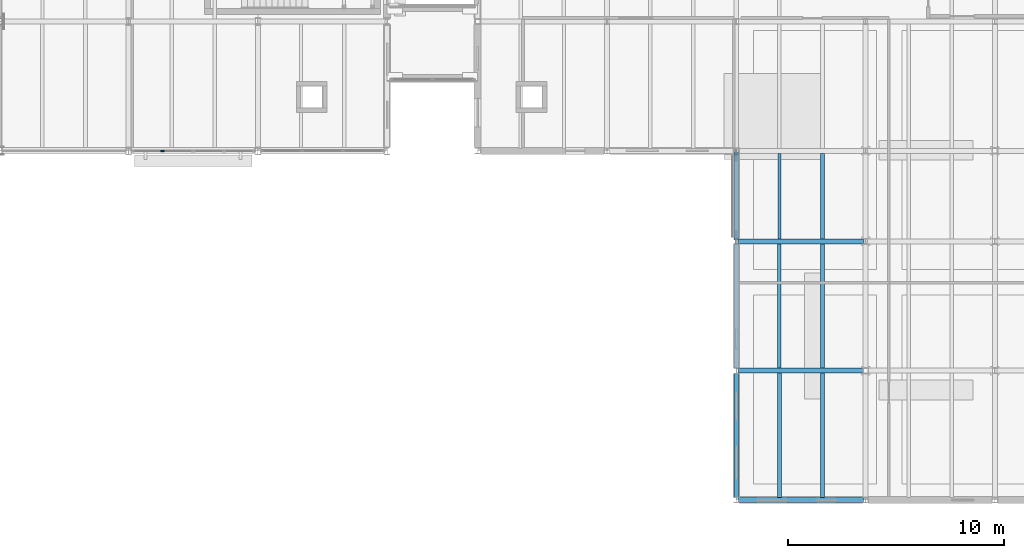
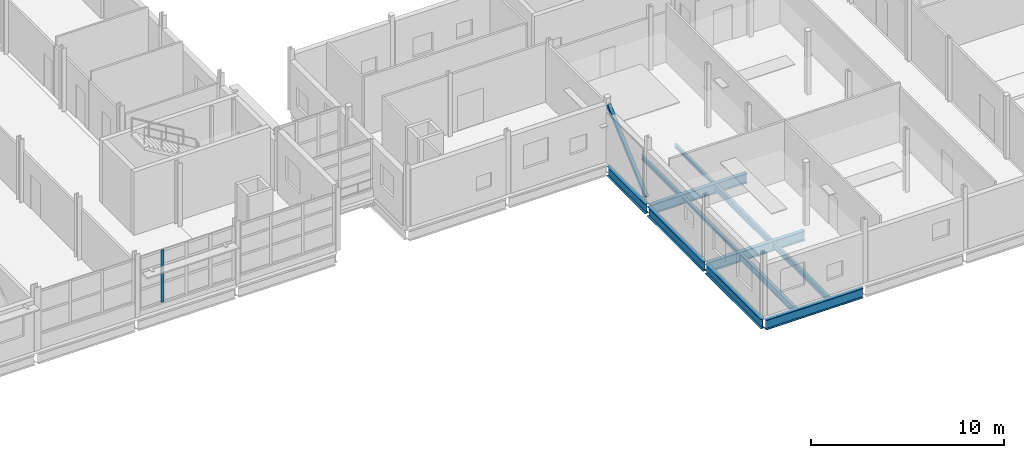
# One storey, part 22 of 92: 12 beams, 2 members, 1 element without a shape of its own.
"""IFC4 building model written with IfcOpenShell, lengths in metres."""

import ifcopenshell
import ifcopenshell.guid

model = None  # the IFC model being written
_history = None  # IfcOwnerHistory: only IFC2X3 demands one
_inside = {}  # id of a spatial element -> (the spatial element, [elements in it])
_under = {}  # id of a project, library or spatial element -> (it, [spatial elements below it])
_declared = {}  # id of a project -> (the project, [libraries it declares])
_typed = {}  # id of a type object -> (the type object, [elements of that type])
_made_of = {}  # id of a material, layer set ... -> (it, [elements and type objects made of it])


def new_model(schema):
    """Start an empty IFC model of exactly this schema.

    Asked for "IFC4X3", IfcOpenShell would pick the latest addendum, in which some entities
    have other attributes; the version numbers below select the first issue.
    IFC2X3 requires an IfcOwnerHistory on every rooted entity: one is made here for all.
    """
    global model, _history
    if schema == "IFC4X3":
        model = ifcopenshell.file(schema_version=(4, 3, 0, 0))
    else:
        model = ifcopenshell.file(schema=schema)
    _inside.clear()
    _under.clear()
    _declared.clear()
    _typed.clear()
    _made_of.clear()
    _history = None
    if model.schema == "IFC2X3":
        org = make("IfcOrganization", Name="unknown")
        user = make(
            "IfcPersonAndOrganization",
            ThePerson=make("IfcPerson", FamilyName="unknown"),
            TheOrganization=org,
        )
        app = make(
            "IfcApplication",
            ApplicationDeveloper=org,
            Version="unknown",
            ApplicationFullName="unknown",
            ApplicationIdentifier="unknown",
        )
        _history = make(
            "IfcOwnerHistory",
            OwningUser=user,
            OwningApplication=app,
            ChangeAction="ADDED",
            CreationDate=0,
        )
    return model


def make(cls, **values):
    """One entity of the class cls with the attributes given. An attribute that is None is left unset."""
    return model.create_entity(
        cls, **{name: value for name, value in values.items() if value is not None}
    )


def rooted(cls, **values):
    """An entity with a GlobalId (a new one), such as an element, a storey or a relation."""
    return make(cls, GlobalId=ifcopenshell.guid.new(), OwnerHistory=_history, **values)


def si_unit(unit_type, name, prefix=None):
    """IfcSIUnit, for example si_unit("LENGTHUNIT", "METRE", prefix="MILLI")."""
    return make("IfcSIUnit", UnitType=unit_type, Prefix=prefix, Name=name)


def assignment(units):
    """IfcUnitAssignment: the units of a project."""
    return None if units is None else make("IfcUnitAssignment", Units=units)


def point(xyz):
    """IfcCartesianPoint."""
    return None if xyz is None else make("IfcCartesianPoint", Coordinates=xyz)


def direction(xyz):
    """IfcDirection."""
    return None if xyz is None else make("IfcDirection", DirectionRatios=xyz)


def frame(location, z_axis=None, x_axis=None):
    """IfcAxis2Placement3D, a coordinate frame: its origin and axes. An axis left out is left unset."""
    return make(
        "IfcAxis2Placement3D",
        Location=point(location),
        Axis=direction(z_axis),
        RefDirection=direction(x_axis),
    )


def frame_2d(location, x_axis=None):
    """IfcAxis2Placement2D, a coordinate frame in the plane: its origin and x axis."""
    return make(
        "IfcAxis2Placement2D", Location=point(location), RefDirection=direction(x_axis)
    )


def origin():
    """The frame at (0, 0, 0) with its axes left unset."""
    return frame((0.0, 0.0, 0.0))


def origin_2d():
    """The frame at (0, 0) in the plane with its x axis left unset."""
    return frame_2d((0.0, 0.0))


def place(relative_to, where):
    """IfcLocalPlacement: puts the frame where relative to a parent placement (None: the world)."""
    return make(
        "IfcLocalPlacement", PlacementRelTo=relative_to, RelativePlacement=where
    )


def context(
    kind, dimensions, precision=None, world=None, true_north=None, identifier=None
):
    """IfcGeometricRepresentationContext, for example the 3D "Model" context."""
    return make(
        "IfcGeometricRepresentationContext",
        ContextIdentifier=identifier,
        ContextType=kind,
        CoordinateSpaceDimension=dimensions,
        Precision=precision,
        WorldCoordinateSystem=world,
        TrueNorth=true_north,
    )


def subcontext(parent, identifier, kind, view, scale=None):
    """IfcGeometricRepresentationSubContext, for example "Body" below "Model"."""
    return make(
        "IfcGeometricRepresentationSubContext",
        ContextIdentifier=identifier,
        ContextType=kind,
        ParentContext=parent,
        TargetScale=scale,
        TargetView=view,
    )


def project(units=None, contexts=None):
    """IfcProject with its units and contexts."""
    return rooted(
        "IfcProject",
        Name="project",
        RepresentationContexts=contexts,
        UnitsInContext=assignment(units),
    )


def spatial(cls, under=None, at=None, **own):
    """A site, building, storey or space (cls), placed at a placement, below another one or the project."""
    s = rooted(cls, ObjectPlacement=at, **own)
    if under is not None:
        _under.setdefault(under.id(), (under, []))[1].append(s)
    return s


def profile(cls, at=None, kind="AREA", **sizes):
    """A parametric profile (cls). Its sizes go by their IFC names, for example OverallWidth=200.0."""
    return make(cls, ProfileType=kind, Position=at, **sizes)


def rectangle(**sizes):
    """IfcRectangleProfileDef."""
    return profile("IfcRectangleProfileDef", **sizes)


def hollow_rectangle(**sizes):
    """IfcRectangleHollowProfileDef."""
    return profile("IfcRectangleHollowProfileDef", **sizes)


def i_section(**sizes):
    """IfcIShapeProfileDef."""
    return profile("IfcIShapeProfileDef", **sizes)


def extrude(swept, where, along, depth):
    """IfcExtrudedAreaSolid: the profile swept, set in the frame where, extruded along a direction by depth."""
    return make(
        "IfcExtrudedAreaSolid",
        SweptArea=swept,
        Position=where,
        ExtrudedDirection=direction(along),
        Depth=depth,
    )


def shape(context_of_items, identifier, shape_type, items):
    """IfcShapeRepresentation: the items that make up one representation, for example the "Body"."""
    return make(
        "IfcShapeRepresentation",
        ContextOfItems=context_of_items,
        RepresentationIdentifier=identifier,
        RepresentationType=shape_type,
        Items=items,
    )


def material(Name=None, Category=None):
    """IfcMaterial."""
    return make("IfcMaterial", Name=Name, Category=Category)


def material_profile(
    of_material, cross_section, Name=None, Category=None, Priority=None
):
    """IfcMaterialProfile: a cross section and its material."""
    return make(
        "IfcMaterialProfile",
        Name=Name,
        Material=of_material,
        Profile=cross_section,
        Priority=Priority,
        Category=Category,
    )


def profile_set(profiles, Name=None, composite=None):
    """IfcMaterialProfileSet."""
    return make(
        "IfcMaterialProfileSet",
        Name=Name,
        MaterialProfiles=profiles,
        CompositeProfile=composite,
    )


def made_of(thing, what):
    """Note that an element or type object is made of a material, layer set ...; save() writes the relation."""
    if what is not None:
        _made_of.setdefault(what.id(), (what, []))[1].append(thing)
    return thing


def type_object(cls, material=None, **own):
    """A type object (cls), such as IfcWallType, which elements share."""
    return made_of(rooted(cls, **own), material)


def element(
    cls,
    number,
    at=None,
    inside=None,
    cuts=None,
    type_object=None,
    material=None,
    context=None,
    identifier="Body",
    shape_type=None,
    held_by="IfcProductDefinitionShape",
    body=None,
    shapes=None,
    **own,
):
    """One element of the class cls, such as IfcWall. Its Tag is "e" and its number.

    at: its placement. inside: the storey or other place that contains it. cuts: it is an
    opening in that element (IfcRelVoidsElement). A single representation is given by context,
    identifier, shape_type and body (its items); several are given by shapes. held_by: the class
    of the entity that holds the representations. save() writes the other relations.
    """
    e = rooted(cls, Tag="e%d" % number, ObjectPlacement=at, **own)
    if body is not None:
        shapes = [shape(context, identifier, shape_type, body)]
    if shapes is not None:
        e.Representation = make(held_by, Representations=shapes)
    if inside is not None:
        _inside.setdefault(inside.id(), (inside, []))[1].append(e)
    if cuts is not None:
        rooted(
            "IfcRelVoidsElement", RelatingBuildingElement=cuts, RelatedOpeningElement=e
        )
    if type_object is not None:
        _typed.setdefault(type_object.id(), (type_object, []))[1].append(e)
    return made_of(e, material)


def aggregate(whole, parts):
    """IfcRelAggregates: a whole, such as a stair, and the parts it consists of."""
    return rooted("IfcRelAggregates", RelatingObject=whole, RelatedObjects=parts)


def save(model, path):
    """Write the relations noted so far, then the file.

    IfcRelAggregates (storeys below a building ...), IfcRelContainedInSpatialStructure (elements
    in a storey), IfcRelDefinesByType, IfcRelAssociatesMaterial and IfcRelDeclares: one each for
    every whole, place, type object, material and project.
    """
    for whole, parts in _under.values():
        aggregate(whole, parts)
    for where, things in _inside.values():
        rooted(
            "IfcRelContainedInSpatialStructure",
            RelatedElements=things,
            RelatingStructure=where,
        )
    for kind, things in _typed.values():
        rooted("IfcRelDefinesByType", RelatedObjects=things, RelatingType=kind)
    for what, things in _made_of.values():
        rooted("IfcRelAssociatesMaterial", RelatedObjects=things, RelatingMaterial=what)
    for by, libraries in _declared.values():
        rooted("IfcRelDeclares", RelatingContext=by, RelatedDefinitions=libraries)
    model.write(path)


model = new_model("IFC4")

# Units and contexts
model_context = context("Model", 3, precision=1e-05, world=origin(), true_north=direction((0.0, 1.0)))
body_context = subcontext(model_context, "Body", "Model", "MODEL_VIEW")
ifc_project = project(units=[si_unit("LENGTHUNIT", "METRE"), si_unit("AREAUNIT", "SQUARE_METRE"), si_unit("VOLUMEUNIT", "CUBIC_METRE"), si_unit("PLANEANGLEUNIT", "RADIAN"), si_unit("MASSUNIT", "GRAM", prefix="KILO")], contexts=[model_context])

# Site, building, storey
site_placement = place(None, origin())
site = spatial("IfcSite", under=ifc_project, at=site_placement, CompositionType="ELEMENT")
building_placement = place(site_placement, origin())
building = spatial("IfcBuilding", under=site, at=building_placement, Name="Siltcreek Boulevard Central Fire Station", CompositionType="ELEMENT")
storey_placement = place(building_placement, frame((0.0, 0.0, 6.0)))
storey = spatial("IfcBuildingStorey", under=building, at=storey_placement, Name="L02", CompositionType="ELEMENT", Elevation=6.0)

# Beams
ifc_material_1 = material(Name="Structural steel ASTM A992 Gr50", Category="steel")
ifc_material_profile_1 = material_profile(ifc_material_1, i_section(OverallWidth=0.22802734375, OverallDepth=0.60791015625, WebThickness=0.01123046875, FlangeThickness=0.017333984375, at=origin_2d()), Name="W610X113")
ifc_profile_set_1 = profile_set([ifc_material_profile_1], Name="Structural steel ASTM A992 Gr50")
beam_type_1 = type_object("IfcBeamType", Name="BM_W610X113", PredefinedType="BEAM", material=ifc_profile_set_1)
for number, where, z_axis, x_axis, name in (
    (1, (124.199951171875, 1.89990234375, -0.6240234375), (0.0, 1.0, 0.0), (-1.0, 0.0, 0.0), "L02 primary steel girder GY-0280"),
    (2, (124.199951171875, 7.89990234375, -0.6240234375), (0.0, 1.0, 0.0), (-1.0, 0.0, 0.0), "L02 primary steel girder GY-0281"),
):
    element("IfcBeam", number, at=place(storey_placement, frame(where, z_axis=z_axis, x_axis=x_axis)), inside=storey, type_object=beam_type_1, Name=name, PredefinedType="BEAM", context=body_context, shape_type="SweptSolid", body=[
        extrude(i_section(OverallWidth=0.22802734375, OverallDepth=0.60791015625, WebThickness=0.01123046875, FlangeThickness=0.017333984375, at=origin_2d()), origin(), (0.0, 0.0, 1.0), 5.800048828125),
    ])
beam_1_placement = place(storey_placement, frame((124.199951171875, 13.89990234375, -0.6240234375), z_axis=(0.0, 1.0, 0.0), x_axis=(-1.0, 0.0, 0.0)))
element("IfcBeam", 3, at=beam_1_placement, inside=storey, type_object=beam_type_1, Name="L02 primary steel girder GY-0282", PredefinedType="BEAM", context=body_context, shape_type="SweptSolid", body=[
    extrude(i_section(OverallWidth=0.22802734375, OverallDepth=0.60791015625, WebThickness=0.01123046875, FlangeThickness=0.017333984375, at=origin_2d()), origin(), (0.0, 0.0, 1.0), 4.0),
])
ifc_material_profile_2 = material_profile(ifc_material_1, i_section(OverallWidth=0.22998046875, OverallDepth=0.616943359375, WebThickness=0.01318359375, FlangeThickness=0.022216796875, at=origin_2d()), Name="W610X140")
ifc_profile_set_2 = profile_set([ifc_material_profile_2], Name="Structural steel ASTM A992 Gr50")
beam_type_2 = type_object("IfcBeamType", Name="BM_W610X140", PredefinedType="BEAM", material=ifc_profile_set_2)
for number, where, z_axis, x_axis, name in (
    (4, (124.300048828125, 1.800048828125, -0.62841796875), (1.0, 0.0, 0.0), (0.0, 1.0, 0.0), "L02 primary steel girder GX-0234"),
    (5, (124.300048828125, 7.800048828125, -0.62841796875), (1.0, 0.0, 0.0), (0.0, 1.0, 0.0), "L02 primary steel girder GX-0241"),
    (6, (124.300048828125, 13.800048828125, -0.62841796875), (1.0, 0.0, 0.0), (0.0, 1.0, 0.0), "L02 primary steel girder GX-0245"),
):
    element("IfcBeam", number, at=place(storey_placement, frame(where, z_axis=z_axis, x_axis=x_axis)), inside=storey, type_object=beam_type_2, Name=name, PredefinedType="BEAM", context=body_context, shape_type="SweptSolid", body=[
        extrude(i_section(OverallWidth=0.22998046875, OverallDepth=0.616943359375, WebThickness=0.01318359375, FlangeThickness=0.022216796875, at=origin_2d()), origin(), (0.0, 0.0, 1.0), 5.800048828125),
    ])

# Member
ifc_material_2 = material(Name="Structural steel ASTM A500 GrC", Category="steel")
ifc_material_profile_3 = material_profile(ifc_material_2, hollow_rectangle(XDim=0.199951171875, YDim=0.199951171875, WallThickness=0.009521484375, at=origin_2d()), Name="HSS200X200X9.5")
ifc_profile_set_3 = profile_set([ifc_material_profile_3], Name="Structural steel ASTM A500 GrC")
member_type_1 = type_object("IfcMemberType", Name="BR_HSS200_9", PredefinedType="BRACE", material=ifc_profile_set_3)
member_1_placement = place(storey_placement, frame((124.199951171875, 13.919921875, 0.10009765625), z_axis=(0.0, 0.753991726398, 0.65688391404), x_axis=(-1.0, 0.0, 0.0)))
element("IfcMember", 7, at=member_1_placement, inside=storey, type_object=member_type_1, Name="L02 buckling-restrained brace BR-038", PredefinedType="BRACE", context=body_context, shape_type="SweptSolid", body=[
    extrude(hollow_rectangle(XDim=0.199951171875, YDim=0.199951171875, WallThickness=0.009521484375, at=origin_2d()), origin(), (0.0, 0.0, 1.0), 5.251953125),
])

# Curtain wall, member
ifc_material_3 = material(Name="Anodized aluminum and low-E insulated glazing", Category="aluminium")
curtain_wall_type = type_object("IfcCurtainWallType", Name="CW_SYS_25", PredefinedType="USERDEFINED", material=ifc_material_3)
curtain_wall_placement = place(storey_placement, origin())
curtain_wall = element("IfcCurtainWall", 8, at=curtain_wall_placement, inside=storey, type_object=curtain_wall_type, Name="L02 V2 unitised curtain wall CW-024", ObjectType="CURTAIN WALL", PredefinedType="USERDEFINED")
ifc_material_4 = material(Name="Anodized 6063-T6 aluminum framing", Category="aluminium")
ifc_material_profile_4 = material_profile(ifc_material_4, rectangle(XDim=0.06494140625, YDim=0.175048828125, at=origin_2d()), Name="MULL65X175")
ifc_profile_set_4 = profile_set([ifc_material_profile_4], Name="Anodized 6063-T6 aluminum framing")
member_type_2 = type_object("IfcMemberType", Name="CWM_65X175", PredefinedType="MULLION", material=ifc_profile_set_4)
member_2_placement = place(storey_placement, frame((97.572509765625, 18.0, 0.320068359375), z_axis=(0.0, 0.0, 1.0), x_axis=(0.0, 1.0, 0.0)))
member_2 = element("IfcMember", 9, at=member_2_placement, type_object=member_type_2, Name="CW-024 mullion 2", PredefinedType="MULLION", context=body_context, shape_type="SweptSolid", body=[
    extrude(rectangle(XDim=0.06494140625, YDim=0.175048828125, at=origin_2d()), origin(), (0.0, 0.0, 1.0), 3.298828125),
])
aggregate(curtain_wall, [member_2])

# Beams
ifc_material_profile_5 = material_profile(ifc_material_1, i_section(OverallWidth=0.1650390625, OverallDepth=0.200927734375, WebThickness=0.006103515625, FlangeThickness=0.01025390625, at=origin_2d()), Name="W200X36")
ifc_profile_set_5 = profile_set([ifc_material_profile_5], Name="Structural steel ASTM A992 Gr50")
beam_type_3 = type_object("IfcBeamType", Name="JST_W200X36", PredefinedType="JOIST", material=ifc_profile_set_5)
beam_2_placement = place(storey_placement, frame((126.199951171875, 7.9130859375, -0.42041015625), z_axis=(0.0, 1.0, 0.0), x_axis=(-1.0, 0.0, 0.0)))
element("IfcBeam", 10, at=beam_2_placement, inside=storey, type_object=beam_type_3, Name="L02 secondary steel floor joist 0207", PredefinedType="JOIST", context=body_context, shape_type="SweptSolid", body=[
    extrude(i_section(OverallWidth=0.1650390625, OverallDepth=0.200927734375, WebThickness=0.006103515625, FlangeThickness=0.01025390625, at=origin_2d()), origin(), (0.0, 0.0, 1.0), 5.77392578125),
])
beam_3_placement = place(storey_placement, frame((128.199951171875, 13.9130859375, -0.42041015625), z_axis=(0.0, 1.0, 0.0), x_axis=(-1.0, 0.0, 0.0)))
element("IfcBeam", 11, at=beam_3_placement, inside=storey, type_object=beam_type_3, Name="L02 secondary steel floor joist 0222", PredefinedType="JOIST", context=body_context, shape_type="SweptSolid", body=[
    extrude(i_section(OverallWidth=0.1650390625, OverallDepth=0.200927734375, WebThickness=0.006103515625, FlangeThickness=0.01025390625, at=origin_2d()), origin(), (0.0, 0.0, 1.0), 3.973876953125),
])
ifc_material_profile_6 = material_profile(ifc_material_1, i_section(OverallWidth=0.14697265625, OverallDepth=0.261962890625, WebThickness=0.006591796875, FlangeThickness=0.01123046875, at=origin_2d()), Name="W250X39")
ifc_profile_set_6 = profile_set([ifc_material_profile_6], Name="Structural steel ASTM A992 Gr50")
beam_type_4 = type_object("IfcBeamType", Name="JST_W250X39", PredefinedType="JOIST", material=ifc_profile_set_6)
beam_4_placement = place(storey_placement, frame((126.199951171875, 13.9130859375, -0.450927734375), z_axis=(0.0, 1.0, 0.0), x_axis=(-1.0, 0.0, 0.0)))
element("IfcBeam", 12, at=beam_4_placement, inside=storey, type_object=beam_type_4, Name="L02 secondary steel floor joist 0221", PredefinedType="JOIST", context=body_context, shape_type="SweptSolid", body=[
    extrude(i_section(OverallWidth=0.14697265625, OverallDepth=0.261962890625, WebThickness=0.006591796875, FlangeThickness=0.01123046875, at=origin_2d()), origin(), (0.0, 0.0, 1.0), 3.973876953125),
])
ifc_material_profile_7 = material_profile(ifc_material_1, i_section(OverallWidth=0.172119140625, OverallDepth=0.35791015625, WebThickness=0.0078125, FlangeThickness=0.01318359375, at=origin_2d()), Name="W360X57")
ifc_profile_set_7 = profile_set([ifc_material_profile_7], Name="Structural steel ASTM A992 Gr50")
beam_type_5 = type_object("IfcBeamType", Name="JST_W360X57", PredefinedType="JOIST", material=ifc_profile_set_7)
beam_5_placement = place(storey_placement, frame((128.199951171875, 1.9130859375, -0.4990234375), z_axis=(0.0, 1.0, 0.0), x_axis=(-1.0, 0.0, 0.0)))
element("IfcBeam", 13, at=beam_5_placement, inside=storey, type_object=beam_type_5, Name="L02 secondary steel floor joist 0194", PredefinedType="JOIST", context=body_context, shape_type="SweptSolid", body=[
    extrude(i_section(OverallWidth=0.172119140625, OverallDepth=0.35791015625, WebThickness=0.0078125, FlangeThickness=0.01318359375, at=origin_2d()), origin(), (0.0, 0.0, 1.0), 5.77392578125),
])
ifc_material_profile_8 = material_profile(ifc_material_1, i_section(OverallWidth=0.177001953125, OverallDepth=0.403076171875, WebThickness=0.007568359375, FlangeThickness=0.010986328125, at=origin_2d()), Name="W410X53")
ifc_profile_set_8 = profile_set([ifc_material_profile_8], Name="Structural steel ASTM A992 Gr50")
beam_type_6 = type_object("IfcBeamType", Name="JST_W410X53", PredefinedType="JOIST", material=ifc_profile_set_8)
for number, where, z_axis, x_axis, name in (
    (14, (126.199951171875, 1.9130859375, -0.521484375), (0.0, 1.0, 0.0), (-1.0, 0.0, 0.0), "L02 secondary steel floor joist 0193"),
    (15, (128.199951171875, 7.9130859375, -0.521484375), (0.0, 1.0, 0.0), (-1.0, 0.0, 0.0), "L02 secondary steel floor joist 0208"),
):
    element("IfcBeam", number, at=place(storey_placement, frame(where, z_axis=z_axis, x_axis=x_axis)), inside=storey, type_object=beam_type_6, Name=name, PredefinedType="JOIST", context=body_context, shape_type="SweptSolid", body=[
        extrude(i_section(OverallWidth=0.177001953125, OverallDepth=0.403076171875, WebThickness=0.007568359375, FlangeThickness=0.010986328125, at=origin_2d()), origin(), (0.0, 0.0, 1.0), 5.77392578125),
    ])

save(model, "model.ifc")
